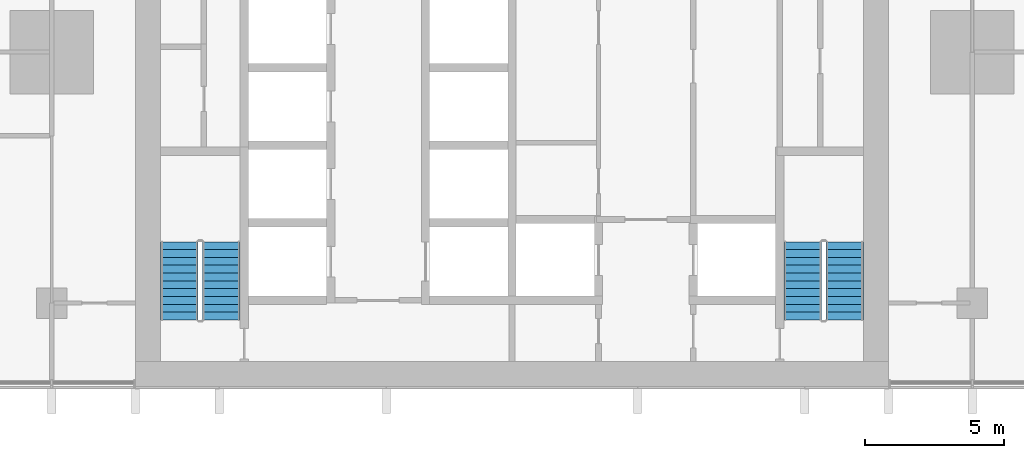
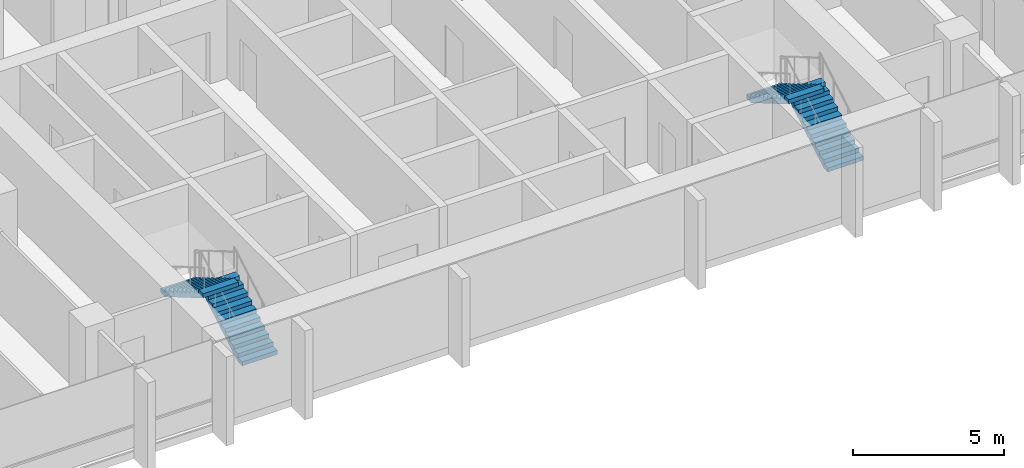
# One storey, part 13 of 18: 4 stair flights, 2 elements without a shape of their own.
"""IFC4 building model written with IfcOpenShell, lengths in metres."""

from ifc_helpers import new_model, si_unit, direction, frame, origin, place, context, subcontext, project, spatial, polyline, outline, extrude, material, type_object, element, aggregate, save


model = new_model("IFC4")

# Units and contexts
model_context = context("Model", 3, precision=1e-05, world=origin(), true_north=direction((0.0, 1.0)))
body_context = subcontext(model_context, "Body", "Model", "MODEL_VIEW")
ifc_project = project(units=[si_unit("LENGTHUNIT", "METRE"), si_unit("AREAUNIT", "SQUARE_METRE"), si_unit("VOLUMEUNIT", "CUBIC_METRE"), si_unit("PLANEANGLEUNIT", "RADIAN"), si_unit("MASSUNIT", "GRAM", prefix="KILO")], contexts=[model_context])

# Site, building, storey
site_placement = place(None, origin())
site = spatial("IfcSite", under=ifc_project, at=site_placement, CompositionType="ELEMENT")
building_placement = place(site_placement, origin())
building = spatial("IfcBuilding", under=site, at=building_placement, Name="Finial Court Residences", CompositionType="ELEMENT")
storey_placement = place(building_placement, frame((0.0, 0.0, 43.300048828125)))
storey = spatial("IfcBuildingStorey", under=building, at=storey_placement, Name="L09", CompositionType="ELEMENT", Elevation=43.300048828125)

# Stair, stair flights
ifc_material = material(Name="Concrete C50/60", Category="concrete")
stair_type = type_object("IfcStairType", Name="Exit stair 22 risers of 163.6 mm", PredefinedType="HALF_TURN_STAIR", material=ifc_material)
stair_1_placement = place(storey_placement, origin())
stair_1 = element("IfcStair", 1, at=stair_1_placement, inside=storey, type_object=stair_type, Name="L09 Exit stair ST-1", PredefinedType="HALF_TURN_STAIR")
stair_flight_type = type_object("IfcStairFlightType", Name="Exit stair flight", PredefinedType="STRAIGHT", material=ifc_material)
stair_flight_1_placement = place(storey_placement, frame((-10.425048828125, -23.10009765625, 0.0), z_axis=(0.0, 0.0, 1.0), x_axis=(0.0, 1.0, 0.0)))
stair_flight_1 = element("IfcStairFlight", 2, at=stair_flight_1_placement, type_object=stair_flight_type, Name="ST-1 flight 1", NumberOfRisers=11, NumberOfTreads=10, PredefinedType="STRAIGHT", RiserHeight=0.163636364, TreadLength=0.28, context=body_context, shape_type="SweptSolid", body=[
    extrude(outline(polyline([(0.0, 0.0), (0.0, 0.16357421875), (0.280029296875, 0.16357421875), (0.280029296875, 0.327392578125), (0.56005859375, 0.327392578125), (0.56005859375, 0.490966796875), (0.840087890625, 0.490966796875), (0.840087890625, 0.654541015625), (1.1201171875, 0.654541015625), (1.1201171875, 0.818115234375), (1.39990234375, 0.818115234375), (1.39990234375, 0.98193359375), (1.679931640625, 0.98193359375), (1.679931640625, 1.1455078125), (1.9599609375, 1.1455078125), (1.9599609375, 1.30908203125), (2.239990234375, 1.30908203125), (2.239990234375, 1.47265625), (2.52001953125, 1.47265625), (2.52001953125, 1.636474609375), (2.800048828125, 1.636474609375), (2.800048828125, 1.800048828125), (2.800048828125, 1.462646484375), (0.297119140625, 0.0), (0.0, 0.0)])), frame((0.0, 0.675048828125, 0.0), z_axis=(0.0, -1.0, 0.0), x_axis=(1.0, 0.0, 0.0)), (0.0, 0.0, 1.0), 1.35009765625),
])
stair_flight_2_placement = place(storey_placement, frame((-11.925048828125, -20.300048828125, 1.800048828125), z_axis=(0.0, 0.0, 1.0), x_axis=(0.0, -1.0, 0.0)))
stair_flight_2 = element("IfcStairFlight", 3, at=stair_flight_2_placement, type_object=stair_flight_type, Name="ST-1 flight 2", NumberOfRisers=11, NumberOfTreads=10, PredefinedType="STRAIGHT", RiserHeight=0.163636364, TreadLength=0.28, context=body_context, shape_type="SweptSolid", body=[
    extrude(outline(polyline([(0.0, 0.0), (0.0, 0.16357421875), (0.280029296875, 0.16357421875), (0.280029296875, 0.327392578125), (0.56005859375, 0.327392578125), (0.56005859375, 0.490966796875), (0.840087890625, 0.490966796875), (0.840087890625, 0.654541015625), (1.1201171875, 0.654541015625), (1.1201171875, 0.818115234375), (1.39990234375, 0.818115234375), (1.39990234375, 0.98193359375), (1.679931640625, 0.98193359375), (1.679931640625, 1.1455078125), (1.9599609375, 1.1455078125), (1.9599609375, 1.30908203125), (2.239990234375, 1.30908203125), (2.239990234375, 1.47265625), (2.52001953125, 1.47265625), (2.52001953125, 1.636474609375), (2.800048828125, 1.636474609375), (2.800048828125, 1.800048828125), (2.800048828125, 1.462646484375), (0.297119140625, 0.0), (0.0, 0.0)])), frame((0.0, 0.675048828125, 0.0), z_axis=(0.0, -1.0, 0.0), x_axis=(1.0, 0.0, 0.0)), (0.0, 0.0, 1.0), 1.35009765625),
])
aggregate(stair_1, [stair_flight_1, stair_flight_2])

stair_2_placement = place(storey_placement, origin())
stair_2 = element("IfcStair", 4, at=stair_2_placement, inside=storey, type_object=stair_type, Name="L09 Exit stair ST-2", PredefinedType="HALF_TURN_STAIR")
stair_flight_3_placement = place(storey_placement, frame((11.925048828125, -23.10009765625, 0.0), z_axis=(0.0, 0.0, 1.0), x_axis=(0.0, 1.0, 0.0)))
stair_flight_3 = element("IfcStairFlight", 5, at=stair_flight_3_placement, type_object=stair_flight_type, Name="ST-2 flight 1", NumberOfRisers=11, NumberOfTreads=10, PredefinedType="STRAIGHT", RiserHeight=0.163636364, TreadLength=0.28, context=body_context, shape_type="SweptSolid", body=[
    extrude(outline(polyline([(0.0, 0.0), (0.0, 0.16357421875), (0.280029296875, 0.16357421875), (0.280029296875, 0.327392578125), (0.56005859375, 0.327392578125), (0.56005859375, 0.490966796875), (0.840087890625, 0.490966796875), (0.840087890625, 0.654541015625), (1.1201171875, 0.654541015625), (1.1201171875, 0.818115234375), (1.39990234375, 0.818115234375), (1.39990234375, 0.98193359375), (1.679931640625, 0.98193359375), (1.679931640625, 1.1455078125), (1.9599609375, 1.1455078125), (1.9599609375, 1.30908203125), (2.239990234375, 1.30908203125), (2.239990234375, 1.47265625), (2.52001953125, 1.47265625), (2.52001953125, 1.636474609375), (2.800048828125, 1.636474609375), (2.800048828125, 1.800048828125), (2.800048828125, 1.462646484375), (0.297119140625, 0.0), (0.0, 0.0)])), frame((0.0, 0.675048828125, 0.0), z_axis=(0.0, -1.0, 0.0), x_axis=(1.0, 0.0, 0.0)), (0.0, 0.0, 1.0), 1.35009765625),
])
stair_flight_4_placement = place(storey_placement, frame((10.425048828125, -20.300048828125, 1.800048828125), z_axis=(0.0, 0.0, 1.0), x_axis=(0.0, -1.0, 0.0)))
stair_flight_4 = element("IfcStairFlight", 6, at=stair_flight_4_placement, type_object=stair_flight_type, Name="ST-2 flight 2", NumberOfRisers=11, NumberOfTreads=10, PredefinedType="STRAIGHT", RiserHeight=0.163636364, TreadLength=0.28, context=body_context, shape_type="SweptSolid", body=[
    extrude(outline(polyline([(0.0, 0.0), (0.0, 0.16357421875), (0.280029296875, 0.16357421875), (0.280029296875, 0.327392578125), (0.56005859375, 0.327392578125), (0.56005859375, 0.490966796875), (0.840087890625, 0.490966796875), (0.840087890625, 0.654541015625), (1.1201171875, 0.654541015625), (1.1201171875, 0.818115234375), (1.39990234375, 0.818115234375), (1.39990234375, 0.98193359375), (1.679931640625, 0.98193359375), (1.679931640625, 1.1455078125), (1.9599609375, 1.1455078125), (1.9599609375, 1.30908203125), (2.239990234375, 1.30908203125), (2.239990234375, 1.47265625), (2.52001953125, 1.47265625), (2.52001953125, 1.636474609375), (2.800048828125, 1.636474609375), (2.800048828125, 1.800048828125), (2.800048828125, 1.462646484375), (0.297119140625, 0.0), (0.0, 0.0)])), frame((0.0, 0.675048828125, 0.0), z_axis=(0.0, -1.0, 0.0), x_axis=(1.0, 0.0, 0.0)), (0.0, 0.0, 1.0), 1.35009765625),
])
aggregate(stair_2, [stair_flight_3, stair_flight_4])

save(model, "model.ifc")
